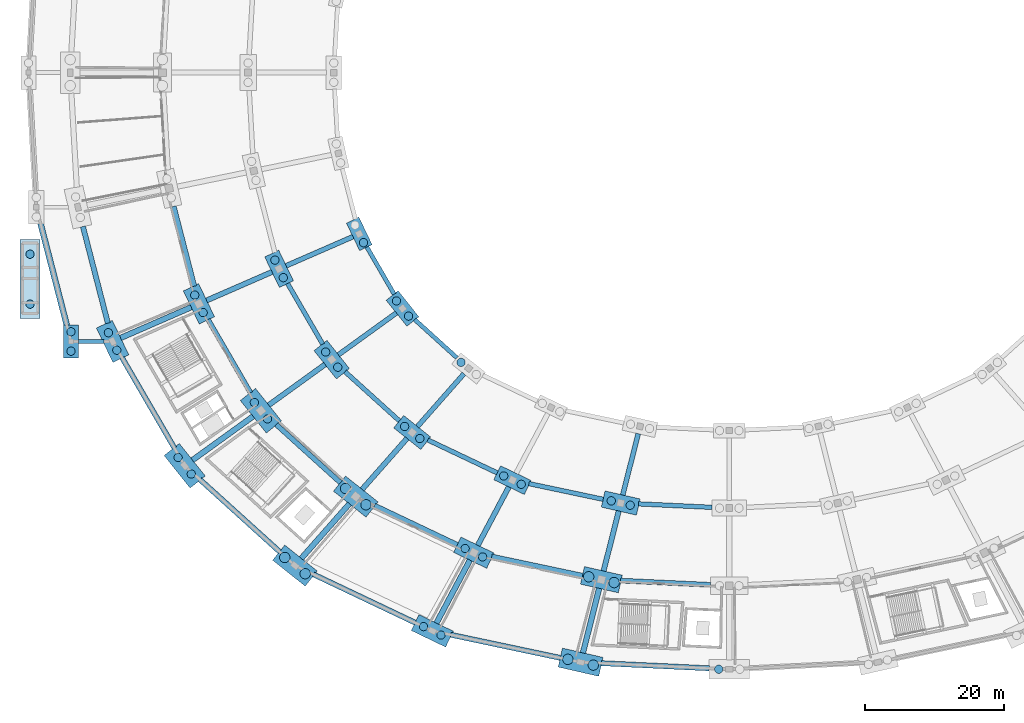
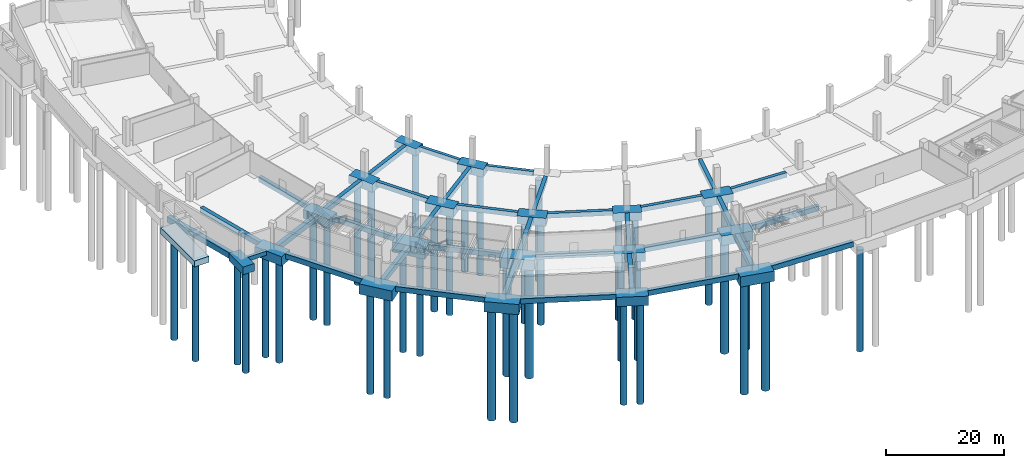
# One storey, part 1 of 49: 54 footings, 39 piles.
"""IFC4 building model written with IfcOpenShell, lengths in metres."""

from ifc_helpers import new_model, si_unit, direction, frame, origin, origin_2d, place, context, subcontext, project, spatial, rectangle, circle, extrude, material, material_profile, profile_set, type_object, element, save


model = new_model("IFC4")

# Units and contexts
model_context = context("Model", 3, precision=1e-05, world=origin(), true_north=direction((0.0, 1.0)))
body_context = subcontext(model_context, "Body", "Model", "MODEL_VIEW")
ifc_project = project(units=[si_unit("LENGTHUNIT", "METRE"), si_unit("AREAUNIT", "SQUARE_METRE"), si_unit("VOLUMEUNIT", "CUBIC_METRE"), si_unit("PLANEANGLEUNIT", "RADIAN"), si_unit("MASSUNIT", "GRAM", prefix="KILO")], contexts=[model_context])

# Site, building, storey
site_placement = place(None, origin())
site = spatial("IfcSite", under=ifc_project, at=site_placement, CompositionType="ELEMENT")
building_placement = place(site_placement, origin())
building = spatial("IfcBuilding", under=site, at=building_placement, Name="Kazemori Nagisa Stadium", CompositionType="ELEMENT")
storey_placement = place(building_placement, frame((0.0, 0.0, -5.43994140625)))
storey = spatial("IfcBuildingStorey", under=building, at=storey_placement, Name="B1", CompositionType="ELEMENT", Elevation=-5.43994140625)

# Footings
ifc_material_1 = material(Name="Concrete C40/50 (Fc42)", Category="concrete")
ifc_material_profile_1 = material_profile(ifc_material_1, rectangle(XDim=0.60009765625, YDim=0.89990234375, at=origin_2d()), Name="RC-FB-600x900")
ifc_profile_set_1 = profile_set([ifc_material_profile_1], Name="Concrete C40/50 (Fc42)")
footing_type_1 = type_object("IfcFootingType", Name="FootingBeam_FB-01", PredefinedType="FOOTING_BEAM", material=ifc_profile_set_1)
footing_1_placement = place(storey_placement, frame((70.762451171875, 76.8642578125, -0.449951171875), z_axis=(0.501633099842, -0.865080477841, 0.0), x_axis=(0.865080477841, 0.501633099842, 0.0)))
element("IfcFooting", 1, at=footing_1_placement, inside=storey, type_object=footing_type_1, Name="Footing tie beam FB-01 R0-17", PredefinedType="FOOTING_BEAM", context=body_context, shape_type="SweptSolid", body=[
    extrude(rectangle(XDim=0.60009765625, YDim=0.89990234375, at=origin_2d()), origin(), (0.0, 0.0, 1.0), 7.867431640625),
])
footing_2_placement = place(storey_placement, frame((77.667236328125, 66.402099609375, -0.449951171875), z_axis=(0.74135461486, -0.671113503833, 0.0), x_axis=(0.671113503833, 0.74135461486, 0.0)))
element("IfcFooting", 2, at=footing_2_placement, inside=storey, type_object=footing_type_1, Name="Footing tie beam FB-01 R0-18", PredefinedType="FOOTING_BEAM", context=body_context, shape_type="SweptSolid", body=[
    extrude(rectangle(XDim=0.60009765625, YDim=0.89990234375, at=origin_2d()), origin(), (0.0, 0.0, 1.0), 8.206298828125),
])
ifc_material_profile_2 = material_profile(ifc_material_1, rectangle(XDim=0.64990234375, YDim=0.949951171875, at=origin_2d()), Name="RC-FB-650x950")
ifc_profile_set_2 = profile_set([ifc_material_profile_2], Name="Concrete C40/50 (Fc42)")
footing_type_2 = type_object("IfcFootingType", Name="FootingBeam_FB-02", PredefinedType="FOOTING_BEAM", material=ifc_profile_set_2)
footing_3_placement = place(storey_placement, frame((59.3330078125, 71.610595703125, -0.47509765625), z_axis=(0.50161111296, -0.865093226973, 0.0), x_axis=(0.865093226973, 0.50161111296, 0.0)))
element("IfcFooting", 3, at=footing_3_placement, inside=storey, type_object=footing_type_2, Name="Footing tie beam FB-02 R1-17", PredefinedType="FOOTING_BEAM", context=body_context, shape_type="SweptSolid", body=[
    extrude(rectangle(XDim=0.64990234375, YDim=0.949951171875, at=origin_2d()), origin(), (0.0, 0.0, 1.0), 10.110107421875),
])
footing_4_placement = place(storey_placement, frame((67.611083984375, 58.901123046875, -0.47509765625), z_axis=(0.74134411661, -0.671125100684, 0.0), x_axis=(0.671125100684, 0.74134411661, 0.0)))
element("IfcFooting", 4, at=footing_4_placement, inside=storey, type_object=footing_type_2, Name="Footing tie beam FB-02 R1-18", PredefinedType="FOOTING_BEAM", context=body_context, shape_type="SweptSolid", body=[
    extrude(rectangle(XDim=0.64990234375, YDim=0.949951171875, at=origin_2d()), origin(), (0.0, 0.0, 1.0), 10.593994140625),
])
footing_5_placement = place(storey_placement, frame((79.54345703125, 49.0625, -0.47509765625), z_axis=(0.903213916211, -0.429190658756, 0.0), x_axis=(0.429190658756, 0.903213916211, 0.0)))
element("IfcFooting", 5, at=footing_5_placement, inside=storey, type_object=footing_type_2, Name="Footing tie beam FB-02 R1-19", PredefinedType="FOOTING_BEAM", context=body_context, shape_type="SweptSolid", body=[
    extrude(rectangle(XDim=0.64990234375, YDim=0.949951171875, at=origin_2d()), origin(), (0.0, 0.0, 1.0), 11.087158203125),
])
footing_6_placement = place(storey_placement, frame((94.1298828125, 42.758056640625, -0.47509765625), z_axis=(0.978347357041, -0.206969681284, 0.0), x_axis=(0.206969681284, 0.978347357041, 0.0)))
element("IfcFooting", 6, at=footing_6_placement, inside=storey, type_object=footing_type_2, Name="Footing tie beam FB-02 R1-20", PredefinedType="FOOTING_BEAM", context=body_context, shape_type="SweptSolid", body=[
    extrude(rectangle(XDim=0.64990234375, YDim=0.949951171875, at=origin_2d()), origin(), (0.0, 0.0, 1.0), 10.940673828125),
])
footing_7_placement = place(storey_placement, frame((109.934814453125, 39.837646484375, -0.47509765625), z_axis=(0.998884648186, -0.047217153864, 0.0), x_axis=(0.047217153864, 0.998884648186, 0.0)))
element("IfcFooting", 7, at=footing_7_placement, inside=storey, type_object=footing_type_2, Name="Footing tie beam FB-02 R1-21", PredefinedType="FOOTING_BEAM", context=body_context, shape_type="SweptSolid", body=[
    extrude(rectangle(XDim=0.64990234375, YDim=0.949951171875, at=origin_2d()), origin(), (0.0, 0.0, 1.0), 10.599609375),
])
ifc_material_profile_3 = material_profile(ifc_material_1, rectangle(XDim=0.699951171875, YDim=1.0, at=origin_2d()), Name="RC-FB-700x1000")
ifc_profile_set_3 = profile_set([ifc_material_profile_3], Name="Concrete C40/50 (Fc42)")
footing_type_3 = type_object("IfcFootingType", Name="FootingBeam_FB-03", PredefinedType="FOOTING_BEAM", material=ifc_profile_set_3)
footing_8_placement = place(storey_placement, frame((42.932373046875, 82.72314453125, -0.5), z_axis=(0.249971260419, -0.968253256625, 0.0), x_axis=(0.968253256625, 0.249971260419, 0.0)))
element("IfcFooting", 8, at=footing_8_placement, inside=storey, type_object=footing_type_3, Name="Footing tie beam FB-03 R2-16", PredefinedType="FOOTING_BEAM", context=body_context, shape_type="SweptSolid", body=[
    extrude(rectangle(XDim=0.699951171875, YDim=1.0, at=origin_2d()), origin(), (0.0, 0.0, 1.0), 11.87841796875),
])
footing_9_placement = place(storey_placement, frame((47.878173828125, 66.400146484375, -0.5), z_axis=(0.501618978983, -0.865088665932, 0.0), x_axis=(0.865088665932, 0.501618978983, 0.0)))
element("IfcFooting", 9, at=footing_9_placement, inside=storey, type_object=footing_type_3, Name="Footing tie beam FB-03 R2-17", PredefinedType="FOOTING_BEAM", context=body_context, shape_type="SweptSolid", body=[
    extrude(rectangle(XDim=0.699951171875, YDim=1.0, at=origin_2d()), origin(), (0.0, 0.0, 1.0), 12.20263671875),
])
footing_10_placement = place(storey_placement, frame((57.703125, 51.265869140625, -0.5), z_axis=(0.741353641267, -0.671114579323, 0.0), x_axis=(0.671114579323, 0.741353641267, 0.0)))
element("IfcFooting", 10, at=footing_10_placement, inside=storey, type_object=footing_type_3, Name="Footing tie beam FB-03 R2-18", PredefinedType="FOOTING_BEAM", context=body_context, shape_type="SweptSolid", body=[
    extrude(rectangle(XDim=0.699951171875, YDim=1.0, at=origin_2d()), origin(), (0.0, 0.0, 1.0), 12.481689453125),
])
footing_11_placement = place(storey_placement, frame((71.857421875, 39.6103515625, -0.5), z_axis=(0.903211727804, -0.429195264137, 0.0), x_axis=(0.429195264137, 0.903211727804, 0.0)))
element("IfcFooting", 11, at=footing_11_placement, inside=storey, type_object=footing_type_3, Name="Footing tie beam FB-03 R2-19", PredefinedType="FOOTING_BEAM", context=body_context, shape_type="SweptSolid", body=[
    extrude(rectangle(XDim=0.699951171875, YDim=1.0, at=origin_2d()), origin(), (0.0, 0.0, 1.0), 13.236083984375),
])
footing_12_placement = place(storey_placement, frame((88.760986328125, 32.25634765625, -0.5), z_axis=(0.978346434999, -0.206974039734, 0.0), x_axis=(0.206974039734, 0.978346434999, 0.0)))
element("IfcFooting", 12, at=footing_12_placement, inside=storey, type_object=footing_type_3, Name="Footing tie beam FB-03 R2-20", PredefinedType="FOOTING_BEAM", context=body_context, shape_type="SweptSolid", body=[
    extrude(rectangle(XDim=0.699951171875, YDim=1.0, at=origin_2d()), origin(), (0.0, 0.0, 1.0), 13.381103515625),
])
footing_13_placement = place(storey_placement, frame((107.34912109375, 28.780029296875, -0.5), z_axis=(0.99888373353, -0.047236499546, 0.0), x_axis=(0.047236499546, 0.99888373353, 0.0)))
element("IfcFooting", 13, at=footing_13_placement, inside=storey, type_object=footing_type_3, Name="Footing tie beam FB-03 R2-21", PredefinedType="FOOTING_BEAM", context=body_context, shape_type="SweptSolid", body=[
    extrude(rectangle(XDim=0.699951171875, YDim=1.0, at=origin_2d()), origin(), (0.0, 0.0, 1.0), 12.98828125),
])
footing_14_placement = place(storey_placement, frame((68.770751953125, 78.358642578125, -0.5), z_axis=(-0.916682232552, -0.399616922218, 0.0), x_axis=(0.399616922218, -0.916682232552, 0.0)))
element("IfcFooting", 14, at=footing_14_placement, inside=storey, type_object=footing_type_3, Name="Footing tie beam FB-03 R0-R1-17", PredefinedType="FOOTING_BEAM", context=body_context, shape_type="SweptSolid", body=[
    extrude(rectangle(XDim=0.699951171875, YDim=1.0, at=origin_2d()), origin(), (0.0, 0.0, 1.0), 10.520263671875),
])
footing_15_placement = place(storey_placement, frame((75.027099609375, 67.3671875, -0.5), z_axis=(-0.810796424483, -0.585328248119, 0.0), x_axis=(0.585328248119, -0.810796424483, 0.0)))
element("IfcFooting", 15, at=footing_15_placement, inside=storey, type_object=footing_type_3, Name="Footing tie beam FB-03 R0-R1-18", PredefinedType="FOOTING_BEAM", context=body_context, shape_type="SweptSolid", body=[
    extrude(rectangle(XDim=0.699951171875, YDim=1.0, at=origin_2d()), origin(), (0.0, 0.0, 1.0), 10.32568359375),
])
footing_16_placement = place(storey_placement, frame((84.76025390625, 58.591796875, -0.5), z_axis=(-0.66100571591, -0.750380865651, 0.0), x_axis=(0.750380865651, -0.66100571591, 0.0)))
element("IfcFooting", 16, at=footing_16_placement, inside=storey, type_object=footing_type_3, Name="Footing tie beam FB-03 R0-R1-19", PredefinedType="FOOTING_BEAM", context=body_context, shape_type="SweptSolid", body=[
    extrude(rectangle(XDim=0.699951171875, YDim=1.0, at=origin_2d()), origin(), (0.0, 0.0, 1.0), 10.15087890625),
])
footing_17_placement = place(storey_placement, frame((109.87939453125, 49.960693359375, -0.5), z_axis=(-0.24448473673, -0.969653140822, 0.0), x_axis=(0.969653140822, -0.24448473673, 0.0)))
element("IfcFooting", 17, at=footing_17_placement, inside=storey, type_object=footing_type_3, Name="Footing tie beam FB-03 R0-R1-21", PredefinedType="FOOTING_BEAM", context=body_context, shape_type="SweptSolid", body=[
    extrude(rectangle(XDim=0.699951171875, YDim=1.0, at=origin_2d()), origin(), (0.0, 0.0, 1.0), 9.134033203125),
])
ifc_material_profile_4 = material_profile(ifc_material_1, rectangle(XDim=0.75, YDim=1.050048828125, at=origin_2d()), Name="RC-FB-750x1050")
ifc_profile_set_4 = profile_set([ifc_material_profile_4], Name="Concrete C40/50 (Fc42)")
footing_type_4 = type_object("IfcFootingType", Name="FootingBeam_FB-04", PredefinedType="FOOTING_BEAM", material=ifc_profile_set_4)
footing_18_placement = place(storey_placement, frame((29.839111328125, 79.813720703125, -0.525146484375), z_axis=(0.249960708902, -0.968255980619, 0.0), x_axis=(0.968255980619, 0.249960708902, 0.0)))
element("IfcFooting", 18, at=footing_18_placement, inside=storey, type_object=footing_type_4, Name="Footing tie beam FB-04 R3-16", PredefinedType="FOOTING_BEAM", context=body_context, shape_type="SweptSolid", body=[
    extrude(rectangle(XDim=0.75, YDim=1.050048828125, at=origin_2d()), origin(), (0.0, 0.0, 1.0), 14.376220703125),
])
footing_19_placement = place(storey_placement, frame((35.484375, 60.888671875, -0.525146484375), z_axis=(0.501617989782, -0.865089239516, 0.0), x_axis=(0.865089239516, 0.501617989782, 0.0)))
element("IfcFooting", 19, at=footing_19_placement, inside=storey, type_object=footing_type_4, Name="Footing tie beam FB-04 R3-17", PredefinedType="FOOTING_BEAM", context=body_context, shape_type="SweptSolid", body=[
    extrude(rectangle(XDim=0.75, YDim=1.050048828125, at=origin_2d()), origin(), (0.0, 0.0, 1.0), 15.002197265625),
])
footing_20_placement = place(storey_placement, frame((46.7138671875, 43.33251953125, -0.525146484375), z_axis=(0.741348232984, -0.671120553591, 0.0), x_axis=(0.671120553591, 0.741348232984, 0.0)))
element("IfcFooting", 20, at=footing_20_placement, inside=storey, type_object=footing_type_4, Name="Footing tie beam FB-04 R3-18", PredefinedType="FOOTING_BEAM", context=body_context, shape_type="SweptSolid", body=[
    extrude(rectangle(XDim=0.75, YDim=1.050048828125, at=origin_2d()), origin(), (0.0, 0.0, 1.0), 15.48388671875),
])
footing_21_placement = place(storey_placement, frame((63.093505859375, 29.662109375, -0.525146484375), z_axis=(0.903217790725, -0.429182504906, 0.0), x_axis=(0.429182504906, 0.903217790725, 0.0)))
element("IfcFooting", 21, at=footing_21_placement, inside=storey, type_object=footing_type_4, Name="Footing tie beam FB-04 R3-19", PredefinedType="FOOTING_BEAM", context=body_context, shape_type="SweptSolid", body=[
    extrude(rectangle(XDim=0.75, YDim=1.050048828125, at=origin_2d()), origin(), (0.0, 0.0, 1.0), 16.204345703125),
])
footing_22_placement = place(storey_placement, frame((82.8662109375, 20.970703125, -0.525146484375), z_axis=(0.978343223735, -0.206989218491, 0.0), x_axis=(0.206989218491, 0.978343223735, 0.0)))
element("IfcFooting", 22, at=footing_22_placement, inside=storey, type_object=footing_type_4, Name="Footing tie beam FB-04 R3-20", PredefinedType="FOOTING_BEAM", context=body_context, shape_type="SweptSolid", body=[
    extrude(rectangle(XDim=0.75, YDim=1.050048828125, at=origin_2d()), origin(), (0.0, 0.0, 1.0), 16.14013671875),
])
footing_23_placement = place(storey_placement, frame((104.549072265625, 16.872314453125, -0.525146484375), z_axis=(0.998884234542, -0.04722590374, 0.0), x_axis=(0.04722590374, 0.998884234542, 0.0)))
element("IfcFooting", 23, at=footing_23_placement, inside=storey, type_object=footing_type_4, Name="Footing tie beam FB-04 R3-21", PredefinedType="FOOTING_BEAM", context=body_context, shape_type="SweptSolid", body=[
    extrude(rectangle(XDim=0.75, YDim=1.050048828125, at=origin_2d()), origin(), (0.0, 0.0, 1.0), 15.591552734375),
])
footing_24_placement = place(storey_placement, frame((57.10107421875, 73.271240234375, -0.525146484375), z_axis=(-0.916679036717, -0.399624253072, 0.0), x_axis=(0.399624253072, -0.916679036717, 0.0)))
element("IfcFooting", 24, at=footing_24_placement, inside=storey, type_object=footing_type_4, Name="Footing tie beam FB-04 R1-R2-17", PredefinedType="FOOTING_BEAM", context=body_context, shape_type="SweptSolid", body=[
    extrude(rectangle(XDim=0.75, YDim=1.050048828125, at=origin_2d()), origin(), (0.0, 0.0, 1.0), 10.29541015625),
])
footing_25_placement = place(storey_placement, frame((64.74169921875, 59.94189453125, -0.525146484375), z_axis=(-0.81079607804, -0.585328728011, 0.0), x_axis=(0.585328728011, -0.81079607804, 0.0)))
element("IfcFooting", 25, at=footing_25_placement, inside=storey, type_object=footing_type_4, Name="Footing tie beam FB-04 R1-R2-18", PredefinedType="FOOTING_BEAM", context=body_context, shape_type="SweptSolid", body=[
    extrude(rectangle(XDim=0.75, YDim=1.050048828125, at=origin_2d()), origin(), (0.0, 0.0, 1.0), 10.02587890625),
])
footing_26_placement = place(storey_placement, frame((76.556640625, 49.279052734375, -0.525146484375), z_axis=(-0.661031544867, -0.750358112297, 0.0), x_axis=(0.750358112297, -0.661031544867, 0.0)))
element("IfcFooting", 26, at=footing_26_placement, inside=storey, type_object=footing_type_4, Name="Footing tie beam FB-04 R1-R2-19", PredefinedType="FOOTING_BEAM", context=body_context, shape_type="SweptSolid", body=[
    extrude(rectangle(XDim=0.75, YDim=1.050048828125, at=origin_2d()), origin(), (0.0, 0.0, 1.0), 9.801025390625),
])
footing_27_placement = place(storey_placement, frame((91.233642578125, 42.28564453125, -0.525146484375), z_axis=(-0.469646082018, -0.882854777211, 0.0), x_axis=(0.882854777211, -0.469646082018, 0.0)))
element("IfcFooting", 27, at=footing_27_placement, inside=storey, type_object=footing_type_4, Name="Footing tie beam FB-04 R1-R2-20", PredefinedType="FOOTING_BEAM", context=body_context, shape_type="SweptSolid", body=[
    extrude(rectangle(XDim=0.75, YDim=1.050048828125, at=origin_2d()), origin(), (0.0, 0.0, 1.0), 9.53857421875),
])
footing_28_placement = place(storey_placement, frame((107.0693359375, 38.8154296875, -0.525146484375), z_axis=(-0.244496256338, -0.969650236238, 0.0), x_axis=(0.969650236238, -0.244496256338, 0.0)))
element("IfcFooting", 28, at=footing_28_placement, inside=storey, type_object=footing_type_4, Name="Footing tie beam FB-04 R1-R2-21", PredefinedType="FOOTING_BEAM", context=body_context, shape_type="SweptSolid", body=[
    extrude(rectangle(XDim=0.75, YDim=1.050048828125, at=origin_2d()), origin(), (0.0, 0.0, 1.0), 8.93408203125),
])
ifc_material_profile_5 = material_profile(ifc_material_1, rectangle(XDim=0.800048828125, YDim=1.10009765625, at=origin_2d()), Name="RC-FB-800x1100")
ifc_profile_set_5 = profile_set([ifc_material_profile_5], Name="Concrete C40/50 (Fc42)")
footing_type_5 = type_object("IfcFootingType", Name="FootingBeam_FB-05", PredefinedType="FOOTING_BEAM", material=ifc_profile_set_5)
footing_29_placement = place(storey_placement, frame((45.454345703125, 68.19384765625, -0.550048828125), z_axis=(-0.916677809453, -0.399627068222, 0.0), x_axis=(0.399627068222, -0.916677809453, 0.0)))
element("IfcFooting", 29, at=footing_29_placement, inside=storey, type_object=footing_type_5, Name="Footing tie beam FB-05 R2-R3-17", PredefinedType="FOOTING_BEAM", context=body_context, shape_type="SweptSolid", body=[
    extrude(rectangle(XDim=0.800048828125, YDim=1.10009765625, at=origin_2d()), origin(), (0.0, 0.0, 1.0), 11.114990234375),
])
footing_30_placement = place(storey_placement, frame((54.375, 52.4580078125, -0.550048828125), z_axis=(-0.810794921926, -0.585330329454, 0.0), x_axis=(0.585330329454, -0.810794921926, 0.0)))
element("IfcFooting", 30, at=footing_30_placement, inside=storey, type_object=footing_type_5, Name="Footing tie beam FB-05 R2-R3-18", PredefinedType="FOOTING_BEAM", context=body_context, shape_type="SweptSolid", body=[
    extrude(rectangle(XDim=0.800048828125, YDim=1.10009765625, at=origin_2d()), origin(), (0.0, 0.0, 1.0), 10.793701171875),
])
footing_31_placement = place(storey_placement, frame((68.25341796875, 39.853759765625, -0.550048828125), z_axis=(-0.661018384003, -0.750369706218, 0.0), x_axis=(0.750369706218, -0.661018384003, 0.0)))
element("IfcFooting", 31, at=footing_31_placement, inside=storey, type_object=footing_type_5, Name="Footing tie beam FB-05 R2-R3-19", PredefinedType="FOOTING_BEAM", context=body_context, shape_type="SweptSolid", body=[
    extrude(rectangle(XDim=0.800048828125, YDim=1.10009765625, at=origin_2d()), origin(), (0.0, 0.0, 1.0), 10.497802734375),
])
footing_32_placement = place(storey_placement, frame((85.6220703125, 31.73681640625, -0.550048828125), z_axis=(-0.469665255808, -0.882844577197, 0.0), x_axis=(0.882844577197, -0.469665255808, 0.0)))
element("IfcFooting", 32, at=footing_32_placement, inside=storey, type_object=footing_type_5, Name="Footing tie beam FB-05 R2-R3-20", PredefinedType="FOOTING_BEAM", context=body_context, shape_type="SweptSolid", body=[
    extrude(rectangle(XDim=0.800048828125, YDim=1.10009765625, at=origin_2d()), origin(), (0.0, 0.0, 1.0), 10.299560546875),
])
footing_33_placement = place(storey_placement, frame((104.25927734375, 27.670166015625, -0.550048828125), z_axis=(-0.244483737293, -0.969653392816, 0.0), x_axis=(0.969653392816, -0.244483737293, 0.0)))
element("IfcFooting", 33, at=footing_33_placement, inside=storey, type_object=footing_type_5, Name="Footing tie beam FB-05 R2-R3-21", PredefinedType="FOOTING_BEAM", context=body_context, shape_type="SweptSolid", body=[
    extrude(rectangle(XDim=0.800048828125, YDim=1.10009765625, at=origin_2d()), origin(), (0.0, 0.0, 1.0), 9.610595703125),
])
ifc_material_profile_6 = material_profile(ifc_material_1, rectangle(XDim=0.550048828125, YDim=0.85009765625, at=origin_2d()), Name="RC-FB-550x850")
ifc_profile_set_6 = profile_set([ifc_material_profile_6], Name="Concrete C40/50 (Fc42)")
footing_type_6 = type_object("IfcFootingType", Name="FootingBeam_FB-06", PredefinedType="FOOTING_BEAM", material=ifc_profile_set_6)
footing_34_placement = place(storey_placement, frame((32.860107421875, 63.25048828125, -0.425048828125), z_axis=(-1.0, 0.0, 0.0), x_axis=(0.0, -1.0, 0.0)))
element("IfcFooting", 34, at=footing_34_placement, inside=storey, type_object=footing_type_6, Name="Footing tie beam FB-06 R3-R4-17", PredefinedType="FOOTING_BEAM", context=body_context, shape_type="SweptSolid", body=[
    extrude(rectangle(XDim=0.550048828125, YDim=0.85009765625, at=origin_2d()), origin(), (0.0, 0.0, 1.0), 3.6650390625),
])
ifc_material_profile_7 = material_profile(ifc_material_1, rectangle(XDim=0.85009765625, YDim=1.14990234375, at=origin_2d()), Name="RC-FB-850x1150")
ifc_profile_set_7 = profile_set([ifc_material_profile_7], Name="Concrete C40/50 (Fc42)")
footing_type_7 = type_object("IfcFootingType", Name="FootingBeam_FB-07", PredefinedType="FOOTING_BEAM", material=ifc_profile_set_7)
footing_35_placement = place(storey_placement, frame((23.714111328125, 80.2978515625, -0.574951171875), z_axis=(0.24997209517, -0.968253041119, 0.0), x_axis=(0.968253041119, 0.24997209517, 0.0)))
element("IfcFooting", 35, at=footing_35_placement, inside=storey, type_object=footing_type_7, Name="Footing tie beam FB-07 R4-16", PredefinedType="FOOTING_BEAM", context=body_context, shape_type="SweptSolid", body=[
    extrude(rectangle(XDim=0.85009765625, YDim=1.14990234375, at=origin_2d()), origin(), (0.0, 0.0, 1.0), 15.226318359375),
])
footing_type_8 = type_object("IfcFootingType", Name="PileCap_PC-02", PredefinedType="PILE_CAP", material=ifc_material_1)
for number, where, z_axis, x_axis, name in (
    (36, (75.90283203125, 67.99951171875, -1.60009765625), (0.0, 0.0, 1.0), (0.623489801853, -0.781831482473, 0.0), "Pile cap PC-02 R0-18"),
    (37, (28.114990234375, 63.25048828125, -1.60009765625), (0.0, 0.0, 1.0), (0.0, 1.0, 0.0), "Pile cap PC-02 R4-17"),
):
    element("IfcFooting", number, at=place(storey_placement, frame(where, z_axis=z_axis, x_axis=x_axis)), inside=storey, type_object=footing_type_8, Name=name, PredefinedType="PILE_CAP", context=body_context, shape_type="SweptSolid", body=[
        extrude(rectangle(XDim=4.800048828125, YDim=2.199951171875, at=origin_2d()), origin(), (0.0, 0.0, 1.0), 1.60009765625),
    ])
footing_type_9 = type_object("IfcFootingType", Name="PileCap_PC-03", PredefinedType="PILE_CAP", material=ifc_material_1)
footing_36_placement = place(storey_placement, frame((77.303466796875, 50.126953125, -1.64990234375), z_axis=(0.0, 0.0, 1.0), x_axis=(0.781831482473, -0.623489801853, 0.0)))
element("IfcFooting", 38, at=footing_36_placement, inside=storey, type_object=footing_type_9, Name="Pile cap PC-03 R1-19", PredefinedType="PILE_CAP", context=body_context, shape_type="SweptSolid", body=[
    extrude(rectangle(XDim=5.0, YDim=2.300048828125, at=origin_2d()), origin(), (0.0, 0.0, 1.0), 1.64990234375),
])
footing_type_10 = type_object("IfcFootingType", Name="PileCap_PC-04", PredefinedType="PILE_CAP", material=ifc_material_1)
for number, where, z_axis, x_axis, name in (
    (39, (65.698486328125, 60.632568359375, -1.75), (0.0, 0.0, 1.0), (0.623489801853, -0.781831482473, 0.0), "Pile cap PC-04 R1-18"),
    (40, (107.35791015625, 39.959716796875, -1.75), (0.0, 0.0, 1.0), (0.974927912182, -0.222520933954, 0.0), "Pile cap PC-04 R1-21"),
):
    element("IfcFooting", number, at=place(storey_placement, frame(where, z_axis=z_axis, x_axis=x_axis)), inside=storey, type_object=footing_type_10, Name=name, PredefinedType="PILE_CAP", context=body_context, shape_type="SweptSolid", body=[
        extrude(rectangle(XDim=5.199951171875, YDim=2.39990234375, at=origin_2d()), origin(), (0.0, 0.0, 1.0), 1.75),
    ])
footing_type_11 = type_object("IfcFootingType", Name="PileCap_PC-06", PredefinedType="PILE_CAP", material=ifc_material_1)
footing_37_placement = place(storey_placement, frame((104.572265625, 28.911376953125, -1.9501953125), z_axis=(0.0, 0.0, 1.0), x_axis=(0.974927912182, -0.222520933954, 0.0)))
element("IfcFooting", 41, at=footing_37_placement, inside=storey, type_object=footing_type_11, Name="Pile cap PC-06 R2-21", PredefinedType="PILE_CAP", context=body_context, shape_type="SweptSolid", body=[
    extrude(rectangle(XDim=5.60009765625, YDim=2.60009765625, at=origin_2d()), origin(), (0.0, 0.0, 1.0), 1.949951171875),
])
footing_type_12 = type_object("IfcFootingType", Name="PileCap_PC-08", PredefinedType="PILE_CAP", material=ifc_material_1)
footing_38_placement = place(storey_placement, frame((69.6689453125, 78.750244140625, -1.4501953125), z_axis=(0.0, 0.0, 1.0), x_axis=(0.433883739113, -0.900968867905, 0.0)))
element("IfcFooting", 42, at=footing_38_placement, inside=storey, type_object=footing_type_12, Name="Pile cap PC-08 R0-17", PredefinedType="PILE_CAP", context=body_context, shape_type="SweptSolid", body=[
    extrude(rectangle(XDim=4.39990234375, YDim=2.0, at=origin_2d()), origin(), (0.0, 0.0, 1.0), 1.449951171875),
])
footing_type_13 = type_object("IfcFootingType", Name="PileCap_PC-09", PredefinedType="PILE_CAP", material=ifc_material_1)
for number, where, z_axis, x_axis, name in (
    (43, (58.114013671875, 73.712890625, -1.7001953125), (0.0, 0.0, 1.0), (0.433883739113, -0.900968867905, 0.0), "Pile cap PC-09 R1-17"),
    (44, (91.75244140625, 43.260986328125, -1.7001953125), (0.0, 0.0, 1.0), (0.900968867905, -0.433883739113, 0.0), "Pile cap PC-09 R1-20"),
):
    element("IfcFooting", number, at=place(storey_placement, frame(where, z_axis=z_axis, x_axis=x_axis)), inside=storey, type_object=footing_type_13, Name=name, PredefinedType="PILE_CAP", context=body_context, shape_type="SweptSolid", body=[
        extrude(rectangle(XDim=4.89990234375, YDim=2.25, at=origin_2d()), origin(), (0.0, 0.0, 1.0), 1.699951171875),
    ])
footing_type_14 = type_object("IfcFootingType", Name="PileCap_PC-10", PredefinedType="PILE_CAP", material=ifc_material_1)
for number, where, z_axis, x_axis, name in (
    (45, (46.55908203125, 68.67529296875, -1.80029296875), (0.0, 0.0, 1.0), (0.433883739113, -0.900968867905, 0.0), "Pile cap PC-10 R2-17"),
    (46, (86.18798828125, 32.80078125, -1.80029296875), (0.0, 0.0, 1.0), (0.900968867905, -0.433883739113, 0.0), "Pile cap PC-10 R2-20"),
):
    element("IfcFooting", number, at=place(storey_placement, frame(where, z_axis=z_axis, x_axis=x_axis)), inside=storey, type_object=footing_type_14, Name=name, PredefinedType="PILE_CAP", context=body_context, shape_type="SweptSolid", body=[
        extrude(rectangle(XDim=5.300048828125, YDim=2.449951171875, at=origin_2d()), origin(), (0.0, 0.0, 1.0), 1.800048828125),
    ])
footing_type_15 = type_object("IfcFootingType", Name="PileCap_PC-11", PredefinedType="PILE_CAP", material=ifc_material_1)
for number, where, z_axis, x_axis, name in (
    (47, (34.114990234375, 63.25048828125, -1.89990234375), (0.0, 0.0, 1.0), (0.433883739113, -0.900968867905, 0.0), "Pile cap PC-11 R3-17"),
    (48, (80.1953125, 21.53564453125, -1.89990234375), (0.0, 0.0, 1.0), (0.900968867905, -0.433883739113, 0.0), "Pile cap PC-11 R3-20"),
):
    element("IfcFooting", number, at=place(storey_placement, frame(where, z_axis=z_axis, x_axis=x_axis)), inside=storey, type_object=footing_type_15, Name=name, PredefinedType="PILE_CAP", context=body_context, shape_type="SweptSolid", body=[
        extrude(rectangle(XDim=5.5, YDim=2.550048828125, at=origin_2d()), origin(), (0.0, 0.0, 1.0), 1.89990234375),
    ])
footing_type_16 = type_object("IfcFootingType", Name="PileCap_PC-12", PredefinedType="PILE_CAP", material=ifc_material_1)
for number, where, z_axis, x_axis, name in (
    (49, (55.493896484375, 53.265869140625, -2.10009765625), (0.0, 0.0, 1.0), (0.623489801853, -0.781831482473, 0.0), "Pile cap PC-12 R2-18"),
    (50, (69.165771484375, 40.88916015625, -2.10009765625), (0.0, 0.0, 1.0), (0.781831482473, -0.623489801853, 0.0), "Pile cap PC-12 R2-19"),
    (51, (44.504638671875, 45.332275390625, -2.10009765625), (0.0, 0.0, 1.0), (0.623489801853, -0.781831482473, 0.0), "Pile cap PC-12 R3-18"),
    (52, (60.402099609375, 30.94091796875, -2.10009765625), (0.0, 0.0, 1.0), (0.781831482473, -0.623489801853, 0.0), "Pile cap PC-12 R3-19"),
    (53, (101.572265625, 17.01318359375, -2.10009765625), (0.0, 0.0, 1.0), (0.974927912182, -0.222520933954, 0.0), "Pile cap PC-12 R3-21"),
):
    element("IfcFooting", number, at=place(storey_placement, frame(where, z_axis=z_axis, x_axis=x_axis)), inside=storey, type_object=footing_type_16, Name=name, PredefinedType="PILE_CAP", context=body_context, shape_type="SweptSolid", body=[
        extrude(rectangle(XDim=6.0, YDim=2.800048828125, at=origin_2d()), origin(), (0.0, 0.0, 1.0), 2.10009765625),
    ])
footing_type_17 = type_object("IfcFootingType", Name="PileCap_PC-13", PredefinedType="PILE_CAP", material=ifc_material_1)
footing_39_placement = place(storey_placement, frame((22.217041015625, 72.226318359375, -1.25), z_axis=(0.0, 0.0, 1.0), x_axis=(0.0, 1.0, 0.0)))
element("IfcFooting", 54, at=footing_39_placement, inside=storey, type_object=footing_type_17, Name="Pile cap PC-13 RP2", PredefinedType="PILE_CAP", context=body_context, shape_type="SweptSolid", body=[
    extrude(rectangle(XDim=11.39990234375, YDim=2.89990234375, at=origin_2d()), origin(), (0.0, 0.0, 1.0), 1.25),
])

# Piles
ifc_material_2 = material(Name="Concrete C36/45 (Fc36)", Category="concrete")
ifc_material_profile_8 = material_profile(ifc_material_2, circle(Radius=0.60009765625, at=origin_2d()), Name="PILE-D1200")
ifc_profile_set_8 = profile_set([ifc_material_profile_8], Name="Concrete C36/45 (Fc36)")
pile_type_1 = type_object("IfcPileType", Name="Pile_PL-1200", PredefinedType="BORED", material=ifc_profile_set_8)
for number, where, z_axis, x_axis, name in (
    (55, (70.2763671875, 77.489013671875, -1.35009765625), (0.0, 0.0, -1.0), (1.0, 0.0, 0.0), "Bored pile PL-1200 R0-17-2"),
    (56, (75.02978515625, 69.093994140625, -1.5), (0.0, 0.0, -1.0), (1.0, 0.0, 0.0), "Bored pile PL-1200 R0-18-1"),
    (57, (76.775634765625, 66.90478515625, -1.5), (0.0, 0.0, -1.0), (1.0, 0.0, 0.0), "Bored pile PL-1200 R0-18-2"),
    (58, (84.3466796875, 60.237548828125, -1.400146484375), (0.0, 0.0, -1.0), (1.0, 0.0, 0.0), "Bored pile PL-1200 R0-19-1"),
    (59, (57.506591796875, 74.97412109375, -1.60009765625), (0.0, 0.0, -1.0), (1.0, 0.0, 0.0), "Bored pile PL-1200 R1-17-1"),
    (60, (58.721435546875, 72.451416015625, -1.60009765625), (0.0, 0.0, -1.0), (1.0, 0.0, 0.0), "Bored pile PL-1200 R1-17-2"),
    (61, (64.825439453125, 61.727294921875, -1.650146484375), (0.0, 0.0, -1.0), (1.0, 0.0, 0.0), "Bored pile PL-1200 R1-18-1"),
    (62, (66.5712890625, 59.5380859375, -1.650146484375), (0.0, 0.0, -1.0), (1.0, 0.0, 0.0), "Bored pile PL-1200 R1-18-2"),
    (63, (76.208984375, 50.999755859375, -1.550048828125), (0.0, 0.0, -1.0), (1.0, 0.0, 0.0), "Bored pile PL-1200 R1-19-1"),
    (64, (78.39794921875, 49.254150390625, -1.550048828125), (0.0, 0.0, -1.0), (1.0, 0.0, 0.0), "Bored pile PL-1200 R1-19-2"),
    (65, (90.4912109375, 43.86865234375, -1.60009765625), (0.0, 0.0, -1.0), (1.0, 0.0, 0.0), "Bored pile PL-1200 R1-20-1"),
    (66, (93.013916015625, 42.653564453125, -1.60009765625), (0.0, 0.0, -1.0), (1.0, 0.0, 0.0), "Bored pile PL-1200 R1-20-2"),
    (67, (105.992919921875, 40.271240234375, -1.650146484375), (0.0, 0.0, -1.0), (1.0, 0.0, 0.0), "Bored pile PL-1200 R1-21-1"),
    (68, (108.72265625, 39.648193359375, -1.650146484375), (0.0, 0.0, -1.0), (1.0, 0.0, 0.0), "Bored pile PL-1200 R1-21-2"),
    (69, (45.951416015625, 69.936767578125, -1.699951171875), (0.0, 0.0, -1.0), (1.0, 0.0, 0.0), "Bored pile PL-1200 R2-17-1"),
    (70, (47.16650390625, 67.4140625, -1.699951171875), (0.0, 0.0, -1.0), (1.0, 0.0, 0.0), "Bored pile PL-1200 R2-17-2"),
    (71, (54.54638671875, 54.4541015625, -2.0), (0.0, 0.0, -1.0), (1.0, 0.0, 0.0), "Bored pile PL-1200 R2-18-1"),
    (72, (56.441650390625, 52.077392578125, -2.0), (0.0, 0.0, -1.0), (1.0, 0.0, 0.0), "Bored pile PL-1200 R2-18-2"),
    (73, (84.926513671875, 33.408203125, -1.699951171875), (0.0, 0.0, -1.0), (1.0, 0.0, 0.0), "Bored pile PL-1200 R2-20-1"),
    (74, (87.44921875, 32.193359375, -1.699951171875), (0.0, 0.0, -1.0), (1.0, 0.0, 0.0), "Bored pile PL-1200 R2-20-2"),
    (75, (33.507568359375, 64.51171875, -1.800048828125), (0.0, 0.0, -1.0), (1.0, 0.0, 0.0), "Bored pile PL-1200 R3-17-1"),
    (76, (34.722412109375, 61.989013671875, -1.800048828125), (0.0, 0.0, -1.0), (1.0, 0.0, 0.0), "Bored pile PL-1200 R3-17-2"),
    (77, (43.556884765625, 46.520751953125, -2.0), (0.0, 0.0, -1.0), (1.0, 0.0, 0.0), "Bored pile PL-1200 R3-18-1"),
    (78, (45.452392578125, 44.14404296875, -2.0), (0.0, 0.0, -1.0), (1.0, 0.0, 0.0), "Bored pile PL-1200 R3-18-2"),
    (79, (78.933837890625, 22.14306640625, -1.800048828125), (0.0, 0.0, -1.0), (1.0, 0.0, 0.0), "Bored pile PL-1200 R3-20-1"),
    (80, (81.45654296875, 20.92822265625, -1.800048828125), (0.0, 0.0, -1.0), (1.0, 0.0, 0.0), "Bored pile PL-1200 R3-20-2"),
    (81, (121.47998046875, 16.0, -1.949951171875), (0.0, 0.0, -1.0), (1.0, 0.0, 0.0), "Bored pile PL-1200 R3-22-1"),
    (82, (28.114990234375, 61.850341796875, -1.5), (0.0, 0.0, -1.0), (1.0, 0.0, 0.0), "Bored pile PL-1200 R4-17-1"),
    (83, (28.114990234375, 64.650390625, -1.5), (0.0, 0.0, -1.0), (1.0, 0.0, 0.0), "Bored pile PL-1200 R4-17-2"),
    (84, (22.217041015625, 68.62646484375, -1.150146484375), (0.0, 0.0, -1.0), (1.0, 0.0, 0.0), "Bored pile PL-1200 RP2-1"),
    (85, (22.217041015625, 75.826416015625, -1.150146484375), (0.0, 0.0, -1.0), (1.0, 0.0, 0.0), "Bored pile PL-1200 RP2-2"),
):
    element("IfcPile", number, at=place(storey_placement, frame(where, z_axis=z_axis, x_axis=x_axis)), inside=storey, type_object=pile_type_1, Name=name, PredefinedType="BORED", context=body_context, shape_type="SweptSolid", body=[
        extrude(circle(Radius=0.60009765625, at=origin_2d()), origin(), (0.0, 0.0, 1.0), 21.0),
    ])
ifc_material_profile_9 = material_profile(ifc_material_2, circle(Radius=0.75, at=origin_2d()), Name="PILE-D1500")
ifc_profile_set_9 = profile_set([ifc_material_profile_9], Name="Concrete C36/45 (Fc36)")
pile_type_2 = type_object("IfcPileType", Name="Pile_PL-1500", PredefinedType="BORED", material=ifc_profile_set_9)
for number, where, z_axis, x_axis, name in (
    (86, (67.69580078125, 42.0615234375, -2.0), (0.0, 0.0, -1.0), (1.0, 0.0, 0.0), "Bored pile PL-1500 R2-19-1"),
    (87, (70.635498046875, 39.717041015625, -2.0), (0.0, 0.0, -1.0), (1.0, 0.0, 0.0), "Bored pile PL-1500 R2-19-2"),
    (88, (102.7392578125, 29.32958984375, -1.85009765625), (0.0, 0.0, -1.0), (1.0, 0.0, 0.0), "Bored pile PL-1500 R2-21-1"),
    (89, (106.405029296875, 28.492919921875, -1.85009765625), (0.0, 0.0, -1.0), (1.0, 0.0, 0.0), "Bored pile PL-1500 R2-21-2"),
    (90, (58.93212890625, 32.11328125, -2.0), (0.0, 0.0, -1.0), (1.0, 0.0, 0.0), "Bored pile PL-1500 R3-19-1"),
    (91, (61.871826171875, 29.768798828125, -2.0), (0.0, 0.0, -1.0), (1.0, 0.0, 0.0), "Bored pile PL-1500 R3-19-2"),
    (92, (99.739501953125, 17.431396484375, -2.0), (0.0, 0.0, -1.0), (1.0, 0.0, 0.0), "Bored pile PL-1500 R3-21-1"),
    (93, (103.4052734375, 16.5947265625, -2.0), (0.0, 0.0, -1.0), (1.0, 0.0, 0.0), "Bored pile PL-1500 R3-21-2"),
):
    element("IfcPile", number, at=place(storey_placement, frame(where, z_axis=z_axis, x_axis=x_axis)), inside=storey, type_object=pile_type_2, Name=name, PredefinedType="BORED", context=body_context, shape_type="SweptSolid", body=[
        extrude(circle(Radius=0.75, at=origin_2d()), origin(), (0.0, 0.0, 1.0), 23.0),
    ])

save(model, "model.ifc")
